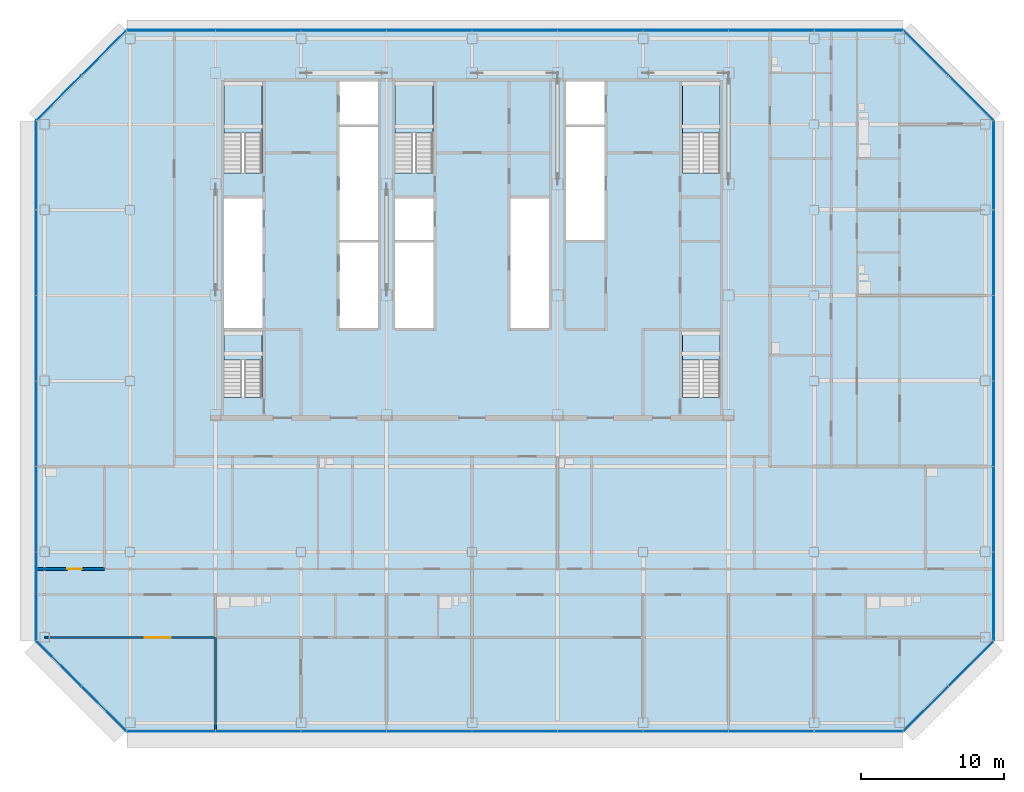
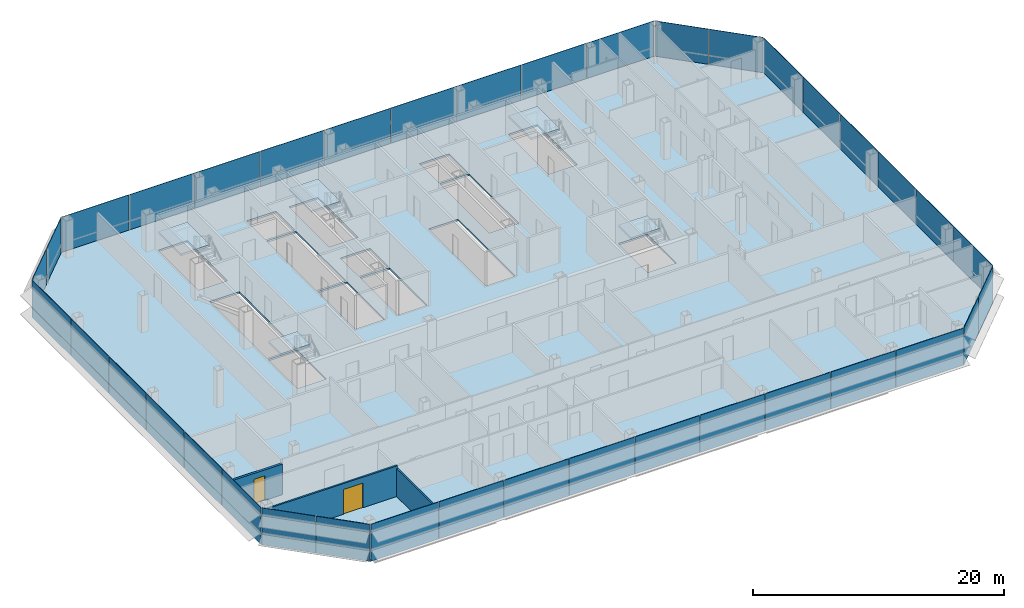
# One storey, part 18 of 26: 38 plates, 6 slabs, 3 walls, 2 doors, 2 openings, 13 elements without a shape of their own.
"""IFC4 building model written with IfcOpenShell, lengths in metres."""

from ifc_helpers import new_model, si_unit, direction, frame, frame_2d, origin, origin_2d, place, context, subcontext, project, spatial, polyline, rectangle, outline, extrude, material, layer, layer_set, type_object, element, fill, aggregate, save


model = new_model("IFC4")

# Units and contexts
model_context = context("Model", 3, precision=1e-05, world=origin(), true_north=direction((0.0, 1.0)))
body_context = subcontext(model_context, "Body", "Model", "MODEL_VIEW")
ifc_project = project(units=[si_unit("LENGTHUNIT", "METRE"), si_unit("AREAUNIT", "SQUARE_METRE"), si_unit("VOLUMEUNIT", "CUBIC_METRE"), si_unit("PLANEANGLEUNIT", "RADIAN"), si_unit("MASSUNIT", "GRAM", prefix="KILO")], contexts=[model_context])

# Site, building, storey
site_placement = place(None, origin())
site = spatial("IfcSite", under=ifc_project, at=site_placement, CompositionType="ELEMENT")
building_placement = place(site_placement, origin())
building = spatial("IfcBuilding", under=site, at=building_placement, Name="Sorahane Residences", CompositionType="ELEMENT")
storey_placement = place(building_placement, frame((0.0, 0.0, 147.39990234375)))
storey = spatial("IfcBuildingStorey", under=building, at=storey_placement, Name="L33", CompositionType="ELEMENT", Elevation=147.39990234375)

# Slab
ifc_material_1 = material(Name="Concrete C35", Category="concrete")
ifc_layer_1 = layer(ifc_material_1, 0.179931640625)
ifc_layer_set_1 = layer_set([ifc_layer_1], Name="Composite floor slab 180 mm Concrete C35")
slab_type_1 = type_object("IfcSlabType", Name="Composite floor slab 180 mm Concrete C35", PredefinedType="FLOOR", material=ifc_layer_set_1)
slab_1_placement = place(storey_placement, frame((0.0, 0.0, -0.179931640625)))
element("IfcSlab", 1, at=slab_1_placement, inside=storey, type_object=slab_type_1, Name="Slab L33", PredefinedType="FLOOR", context=body_context, shape_type="SweptSolid", body=[
    extrude(outline(polyline([(-0.24853515625, -0.60009765625), (-6.60009765625, 5.75146484375), (-6.60009765625, 42.24853515625), (-0.24853515625, 48.60009765625), (54.24853515625, 48.60009765625), (60.60009765625, 42.24853515625), (60.60009765625, 5.75146484375), (54.24853515625, -0.60009765625), (-0.24853515625, -0.60009765625)]), holes=[polyline([(18.60009765625, 27.699951171875), (21.300048828125, 27.699951171875), (21.300048828125, 33.699951171875), (18.60009765625, 33.699951171875), (18.60009765625, 27.699951171875)]), polyline([(30.60009765625, 42.0), (33.300048828125, 42.0), (33.300048828125, 45.0), (30.60009765625, 45.0), (30.60009765625, 42.0)]), polyline([(14.699951171875, 27.699951171875), (17.39990234375, 27.699951171875), (17.39990234375, 33.699951171875), (14.699951171875, 33.699951171875), (14.699951171875, 27.699951171875)]), polyline([(14.699951171875, 42.0), (17.39990234375, 42.0), (17.39990234375, 45.0), (14.699951171875, 45.0), (14.699951171875, 42.0)]), polyline([(6.60009765625, 27.699951171875), (9.300048828125, 27.699951171875), (9.300048828125, 36.800048828125), (6.60009765625, 36.800048828125), (6.60009765625, 27.699951171875)]), polyline([(9.25, 38.60009765625), (9.25, 45.0), (6.60009765625, 45.0), (6.60009765625, 38.60009765625), (9.25, 38.60009765625)]), polyline([(41.39990234375, 38.60009765625), (41.39990234375, 45.0), (38.75, 45.0), (38.75, 38.60009765625), (41.39990234375, 38.60009765625)]), polyline([(21.25, 38.60009765625), (21.25, 45.0), (18.60009765625, 45.0), (18.60009765625, 38.60009765625), (21.25, 38.60009765625)]), polyline([(9.25, 22.85009765625), (9.25, 27.5), (6.60009765625, 27.5), (6.60009765625, 22.85009765625), (9.25, 22.85009765625)]), polyline([(41.39990234375, 22.85009765625), (41.39990234375, 27.5), (38.75, 27.5), (38.75, 22.85009765625), (41.39990234375, 22.85009765625)]), polyline([(14.699951171875, 33.89990234375), (17.39990234375, 33.89990234375), (17.39990234375, 41.800048828125), (14.699951171875, 41.800048828125), (14.699951171875, 33.89990234375)]), polyline([(30.60009765625, 33.89990234375), (33.300048828125, 33.89990234375), (33.300048828125, 41.800048828125), (30.60009765625, 41.800048828125), (30.60009765625, 33.89990234375)]), polyline([(18.60009765625, 33.89990234375), (21.300048828125, 33.89990234375), (21.300048828125, 36.800048828125), (18.60009765625, 36.800048828125), (18.60009765625, 33.89990234375)]), polyline([(26.699951171875, 27.699951171875), (29.39990234375, 27.699951171875), (29.39990234375, 36.800048828125), (26.699951171875, 36.800048828125), (26.699951171875, 27.699951171875)])]), origin(), (0.0, 0.0, 1.0), 0.179931640625),
])

# Curtain wall, plates
ifc_material_2 = material(Name="Dark low-e glass and black anodised aluminium", Category="aluminium")
curtain_wall_type_1 = type_object("IfcCurtainWallType", Name="Curtain wall CW-1 Typical unitised wall", PredefinedType="NOTDEFINED", material=ifc_material_2)
curtain_wall_1_placement = place(storey_placement, origin())
curtain_wall_1 = element("IfcCurtainWall", 2, at=curtain_wall_1_placement, inside=storey, type_object=curtain_wall_type_1, Name="CW-1 curtain wall L33 S1", PredefinedType="NOTDEFINED")
ifc_material_3 = material(Name="Dark low-e glass with black ceramic frit", Category="glass")
ifc_layer_2 = layer(ifc_material_3, 0.0400390625)
ifc_layer_set_2 = layer_set([ifc_layer_2], Name="Curtain wall glass panel dark low-e with black frit spandrel band")
plate_type = type_object("IfcPlateType", Name="Curtain wall glass panel dark low-e with black frit spandrel band", PredefinedType="CURTAIN_PANEL", material=ifc_layer_set_2)
plate_1_placement = place(storey_placement, frame((2.88818359375, -0.60009765625, -0.179931640625), z_axis=(0.0, 0.0, 1.0), x_axis=(1.0, 0.0, 0.0)))
plate_1 = element("IfcPlate", 3, at=plate_1_placement, type_object=plate_type, Name="CW-1 glass panel L33 S1.1", PredefinedType="CURTAIN_PANEL", context=body_context, shape_type="SweptSolid", body=[
    extrude(rectangle(XDim=6.173583984375, YDim=0.0400390625, at=origin_2d()), origin(), (0.0, 0.0, 1.0), 3.60009765625),
])
plate_2_placement = place(storey_placement, frame((9.0, -0.60009765625, -0.179931640625), z_axis=(0.0, 0.0, 1.0), x_axis=(1.0, 0.0, 0.0)))
plate_2 = element("IfcPlate", 4, at=plate_2_placement, type_object=plate_type, Name="CW-1 glass panel L33 S1.2", PredefinedType="CURTAIN_PANEL", context=body_context, shape_type="SweptSolid", body=[
    extrude(rectangle(XDim=5.949951171875, YDim=0.0400390625, at=origin_2d()), origin(), (0.0, 0.0, 1.0), 3.60009765625),
])
plate_3_placement = place(storey_placement, frame((15.0, -0.60009765625, -0.179931640625), z_axis=(0.0, 0.0, 1.0), x_axis=(1.0, 0.0, 0.0)))
plate_3 = element("IfcPlate", 5, at=plate_3_placement, type_object=plate_type, Name="CW-1 glass panel L33 S1.3", PredefinedType="CURTAIN_PANEL", context=body_context, shape_type="SweptSolid", body=[
    extrude(rectangle(XDim=5.949951171875, YDim=0.0400390625, at=origin_2d()), origin(), (0.0, 0.0, 1.0), 3.60009765625),
])
plate_4_placement = place(storey_placement, frame((21.0, -0.60009765625, -0.179931640625), z_axis=(0.0, 0.0, 1.0), x_axis=(1.0, 0.0, 0.0)))
plate_4 = element("IfcPlate", 6, at=plate_4_placement, type_object=plate_type, Name="CW-1 glass panel L33 S1.4", PredefinedType="CURTAIN_PANEL", context=body_context, shape_type="SweptSolid", body=[
    extrude(rectangle(XDim=5.949951171875, YDim=0.0400390625, at=origin_2d()), origin(), (0.0, 0.0, 1.0), 3.60009765625),
])
plate_5_placement = place(storey_placement, frame((27.0, -0.60009765625, -0.179931640625), z_axis=(0.0, 0.0, 1.0), x_axis=(1.0, 0.0, 0.0)))
plate_5 = element("IfcPlate", 7, at=plate_5_placement, type_object=plate_type, Name="CW-1 glass panel L33 S1.5", PredefinedType="CURTAIN_PANEL", context=body_context, shape_type="SweptSolid", body=[
    extrude(rectangle(XDim=5.949951171875, YDim=0.0400390625, at=origin_2d()), origin(), (0.0, 0.0, 1.0), 3.60009765625),
])
plate_6_placement = place(storey_placement, frame((33.0, -0.60009765625, -0.179931640625), z_axis=(0.0, 0.0, 1.0), x_axis=(1.0, 0.0, 0.0)))
plate_6 = element("IfcPlate", 8, at=plate_6_placement, type_object=plate_type, Name="CW-1 glass panel L33 S1.6", PredefinedType="CURTAIN_PANEL", context=body_context, shape_type="SweptSolid", body=[
    extrude(rectangle(XDim=5.949951171875, YDim=0.0400390625, at=origin_2d()), origin(), (0.0, 0.0, 1.0), 3.60009765625),
])
plate_7_placement = place(storey_placement, frame((39.0, -0.60009765625, -0.179931640625), z_axis=(0.0, 0.0, 1.0), x_axis=(1.0, 0.0, 0.0)))
plate_7 = element("IfcPlate", 9, at=plate_7_placement, type_object=plate_type, Name="CW-1 glass panel L33 S1.7", PredefinedType="CURTAIN_PANEL", context=body_context, shape_type="SweptSolid", body=[
    extrude(rectangle(XDim=5.949951171875, YDim=0.0400390625, at=origin_2d()), origin(), (0.0, 0.0, 1.0), 3.60009765625),
])
plate_8_placement = place(storey_placement, frame((45.0, -0.60009765625, -0.179931640625), z_axis=(0.0, 0.0, 1.0), x_axis=(1.0, 0.0, 0.0)))
plate_8 = element("IfcPlate", 10, at=plate_8_placement, type_object=plate_type, Name="CW-1 glass panel L33 S1.8", PredefinedType="CURTAIN_PANEL", context=body_context, shape_type="SweptSolid", body=[
    extrude(rectangle(XDim=5.949951171875, YDim=0.0400390625, at=origin_2d()), origin(), (0.0, 0.0, 1.0), 3.60009765625),
])
plate_9_placement = place(storey_placement, frame((51.11181640625, -0.60009765625, -0.179931640625), z_axis=(0.0, 0.0, 1.0), x_axis=(1.0, 0.0, 0.0)))
plate_9 = element("IfcPlate", 11, at=plate_9_placement, type_object=plate_type, Name="CW-1 glass panel L33 S1.9", PredefinedType="CURTAIN_PANEL", context=body_context, shape_type="SweptSolid", body=[
    extrude(rectangle(XDim=6.173583984375, YDim=0.0400390625, at=origin_2d()), origin(), (0.0, 0.0, 1.0), 3.60009765625),
])
aggregate(curtain_wall_1, [plate_1, plate_2, plate_3, plate_4, plate_5, plate_6, plate_7, plate_8, plate_9])

ifc_material_4 = material(Name="Dark low-e glass and black anodised aluminium", Category="aluminium")
curtain_wall_type_2 = type_object("IfcCurtainWallType", Name="Curtain wall CW-2 Chamfer unitised wall", PredefinedType="NOTDEFINED", material=ifc_material_4)
curtain_wall_2_placement = place(storey_placement, origin())
curtain_wall_2 = element("IfcCurtainWall", 12, at=curtain_wall_2_placement, inside=storey, type_object=curtain_wall_type_2, Name="CW-2 curtain wall L33 SE1", PredefinedType="NOTDEFINED")
plate_10_placement = place(storey_placement, frame((55.84521484375, 0.996826171875, -0.179931640625), z_axis=(0.0, 0.0, 1.0), x_axis=(0.707106781187, 0.707106781187, 0.0)))
plate_10 = element("IfcPlate", 13, at=plate_10_placement, type_object=plate_type, Name="CW-2 glass panel L33 SE1.1", PredefinedType="CURTAIN_PANEL", context=body_context, shape_type="SweptSolid", body=[
    extrude(rectangle(XDim=4.416259765625, YDim=0.0400390625, at=origin_2d()), origin(), (0.0, 0.0, 1.0), 3.60009765625),
])
plate_11_placement = place(storey_placement, frame((59.003173828125, 4.15478515625, -0.179931640625), z_axis=(0.0, 0.0, 1.0), x_axis=(0.707106781187, 0.707106781187, 0.0)))
plate_11 = element("IfcPlate", 14, at=plate_11_placement, type_object=plate_type, Name="CW-2 glass panel L33 SE1.2", PredefinedType="CURTAIN_PANEL", context=body_context, shape_type="SweptSolid", body=[
    extrude(rectangle(XDim=4.416259765625, YDim=0.0400390625, at=origin_2d()), origin(), (0.0, 0.0, 1.0), 3.60009765625),
])
aggregate(curtain_wall_2, [plate_10, plate_11])

curtain_wall_3_placement = place(storey_placement, origin())
curtain_wall_3 = element("IfcCurtainWall", 15, at=curtain_wall_3_placement, inside=storey, type_object=curtain_wall_type_1, Name="CW-1 curtain wall L33 E1", PredefinedType="NOTDEFINED")
plate_12_placement = place(storey_placement, frame((60.60009765625, 8.88818359375, -0.179931640625), z_axis=(0.0, 0.0, 1.0), x_axis=(0.0, 1.0, 0.0)))
plate_12 = element("IfcPlate", 16, at=plate_12_placement, type_object=plate_type, Name="CW-1 glass panel L33 E1.1", PredefinedType="CURTAIN_PANEL", context=body_context, shape_type="SweptSolid", body=[
    extrude(rectangle(XDim=6.173583984375, YDim=0.0400390625, at=origin_2d()), origin(), (0.0, 0.0, 1.0), 3.60009765625),
])
plate_13_placement = place(storey_placement, frame((60.60009765625, 15.0, -0.179931640625), z_axis=(0.0, 0.0, 1.0), x_axis=(0.0, 1.0, 0.0)))
plate_13 = element("IfcPlate", 17, at=plate_13_placement, type_object=plate_type, Name="CW-1 glass panel L33 E1.2", PredefinedType="CURTAIN_PANEL", context=body_context, shape_type="SweptSolid", body=[
    extrude(rectangle(XDim=5.949951171875, YDim=0.0400390625, at=origin_2d()), origin(), (0.0, 0.0, 1.0), 3.60009765625),
])
plate_14_placement = place(storey_placement, frame((60.60009765625, 21.0, -0.179931640625), z_axis=(0.0, 0.0, 1.0), x_axis=(0.0, 1.0, 0.0)))
plate_14 = element("IfcPlate", 18, at=plate_14_placement, type_object=plate_type, Name="CW-1 glass panel L33 E1.3", PredefinedType="CURTAIN_PANEL", context=body_context, shape_type="SweptSolid", body=[
    extrude(rectangle(XDim=5.949951171875, YDim=0.0400390625, at=origin_2d()), origin(), (0.0, 0.0, 1.0), 3.60009765625),
])
plate_15_placement = place(storey_placement, frame((60.60009765625, 27.0, -0.179931640625), z_axis=(0.0, 0.0, 1.0), x_axis=(0.0, 1.0, 0.0)))
plate_15 = element("IfcPlate", 19, at=plate_15_placement, type_object=plate_type, Name="CW-1 glass panel L33 E1.4", PredefinedType="CURTAIN_PANEL", context=body_context, shape_type="SweptSolid", body=[
    extrude(rectangle(XDim=5.949951171875, YDim=0.0400390625, at=origin_2d()), origin(), (0.0, 0.0, 1.0), 3.60009765625),
])
plate_16_placement = place(storey_placement, frame((60.60009765625, 33.0, -0.179931640625), z_axis=(0.0, 0.0, 1.0), x_axis=(0.0, 1.0, 0.0)))
plate_16 = element("IfcPlate", 20, at=plate_16_placement, type_object=plate_type, Name="CW-1 glass panel L33 E1.5", PredefinedType="CURTAIN_PANEL", context=body_context, shape_type="SweptSolid", body=[
    extrude(rectangle(XDim=5.949951171875, YDim=0.0400390625, at=origin_2d()), origin(), (0.0, 0.0, 1.0), 3.60009765625),
])
plate_17_placement = place(storey_placement, frame((60.60009765625, 39.11181640625, -0.179931640625), z_axis=(0.0, 0.0, 1.0), x_axis=(0.0, 1.0, 0.0)))
plate_17 = element("IfcPlate", 21, at=plate_17_placement, type_object=plate_type, Name="CW-1 glass panel L33 E1.6", PredefinedType="CURTAIN_PANEL", context=body_context, shape_type="SweptSolid", body=[
    extrude(rectangle(XDim=6.173583984375, YDim=0.0400390625, at=origin_2d()), origin(), (0.0, 0.0, 1.0), 3.60009765625),
])
aggregate(curtain_wall_3, [plate_12, plate_13, plate_14, plate_15, plate_16, plate_17])

curtain_wall_4_placement = place(storey_placement, origin())
curtain_wall_4 = element("IfcCurtainWall", 22, at=curtain_wall_4_placement, inside=storey, type_object=curtain_wall_type_2, Name="CW-2 curtain wall L33 NE1", PredefinedType="NOTDEFINED")
plate_18_placement = place(storey_placement, frame((59.003173828125, 43.84521484375, -0.179931640625), z_axis=(0.0, 0.0, 1.0), x_axis=(-0.707106781187, 0.707106781187, 0.0)))
plate_18 = element("IfcPlate", 23, at=plate_18_placement, type_object=plate_type, Name="CW-2 glass panel L33 NE1.1", PredefinedType="CURTAIN_PANEL", context=body_context, shape_type="SweptSolid", body=[
    extrude(rectangle(XDim=4.416259765625, YDim=0.0400390625, at=origin_2d()), origin(), (0.0, 0.0, 1.0), 3.60009765625),
])
plate_19_placement = place(storey_placement, frame((55.84521484375, 47.003173828125, -0.179931640625), z_axis=(0.0, 0.0, 1.0), x_axis=(-0.707106781187, 0.707106781187, 0.0)))
plate_19 = element("IfcPlate", 24, at=plate_19_placement, type_object=plate_type, Name="CW-2 glass panel L33 NE1.2", PredefinedType="CURTAIN_PANEL", context=body_context, shape_type="SweptSolid", body=[
    extrude(rectangle(XDim=4.416259765625, YDim=0.0400390625, at=origin_2d()), origin(), (0.0, 0.0, 1.0), 3.60009765625),
])
aggregate(curtain_wall_4, [plate_18, plate_19])

curtain_wall_5_placement = place(storey_placement, origin())
curtain_wall_5 = element("IfcCurtainWall", 25, at=curtain_wall_5_placement, inside=storey, type_object=curtain_wall_type_1, Name="CW-1 curtain wall L33 N1", PredefinedType="NOTDEFINED")
plate_20_placement = place(storey_placement, frame((51.11181640625, 48.60009765625, -0.179931640625), z_axis=(0.0, 0.0, 1.0), x_axis=(-1.0, 0.0, 0.0)))
plate_20 = element("IfcPlate", 26, at=plate_20_placement, type_object=plate_type, Name="CW-1 glass panel L33 N1.1", PredefinedType="CURTAIN_PANEL", context=body_context, shape_type="SweptSolid", body=[
    extrude(rectangle(XDim=6.173583984375, YDim=0.0400390625, at=origin_2d()), origin(), (0.0, 0.0, 1.0), 3.60009765625),
])
plate_21_placement = place(storey_placement, frame((45.0, 48.60009765625, -0.179931640625), z_axis=(0.0, 0.0, 1.0), x_axis=(-1.0, 0.0, 0.0)))
plate_21 = element("IfcPlate", 27, at=plate_21_placement, type_object=plate_type, Name="CW-1 glass panel L33 N1.2", PredefinedType="CURTAIN_PANEL", context=body_context, shape_type="SweptSolid", body=[
    extrude(rectangle(XDim=5.949951171875, YDim=0.0400390625, at=origin_2d()), origin(), (0.0, 0.0, 1.0), 3.60009765625),
])
plate_22_placement = place(storey_placement, frame((39.0, 48.60009765625, -0.179931640625), z_axis=(0.0, 0.0, 1.0), x_axis=(-1.0, 0.0, 0.0)))
plate_22 = element("IfcPlate", 28, at=plate_22_placement, type_object=plate_type, Name="CW-1 glass panel L33 N1.3", PredefinedType="CURTAIN_PANEL", context=body_context, shape_type="SweptSolid", body=[
    extrude(rectangle(XDim=5.949951171875, YDim=0.0400390625, at=origin_2d()), origin(), (0.0, 0.0, 1.0), 3.60009765625),
])
plate_23_placement = place(storey_placement, frame((33.0, 48.60009765625, -0.179931640625), z_axis=(0.0, 0.0, 1.0), x_axis=(-1.0, 0.0, 0.0)))
plate_23 = element("IfcPlate", 29, at=plate_23_placement, type_object=plate_type, Name="CW-1 glass panel L33 N1.4", PredefinedType="CURTAIN_PANEL", context=body_context, shape_type="SweptSolid", body=[
    extrude(rectangle(XDim=5.949951171875, YDim=0.0400390625, at=origin_2d()), origin(), (0.0, 0.0, 1.0), 3.60009765625),
])
plate_24_placement = place(storey_placement, frame((27.0, 48.60009765625, -0.179931640625), z_axis=(0.0, 0.0, 1.0), x_axis=(-1.0, 0.0, 0.0)))
plate_24 = element("IfcPlate", 30, at=plate_24_placement, type_object=plate_type, Name="CW-1 glass panel L33 N1.5", PredefinedType="CURTAIN_PANEL", context=body_context, shape_type="SweptSolid", body=[
    extrude(rectangle(XDim=5.949951171875, YDim=0.0400390625, at=origin_2d()), origin(), (0.0, 0.0, 1.0), 3.60009765625),
])
plate_25_placement = place(storey_placement, frame((21.0, 48.60009765625, -0.179931640625), z_axis=(0.0, 0.0, 1.0), x_axis=(-1.0, 0.0, 0.0)))
plate_25 = element("IfcPlate", 31, at=plate_25_placement, type_object=plate_type, Name="CW-1 glass panel L33 N1.6", PredefinedType="CURTAIN_PANEL", context=body_context, shape_type="SweptSolid", body=[
    extrude(rectangle(XDim=5.949951171875, YDim=0.0400390625, at=origin_2d()), origin(), (0.0, 0.0, 1.0), 3.60009765625),
])
plate_26_placement = place(storey_placement, frame((15.0, 48.60009765625, -0.179931640625), z_axis=(0.0, 0.0, 1.0), x_axis=(-1.0, 0.0, 0.0)))
plate_26 = element("IfcPlate", 32, at=plate_26_placement, type_object=plate_type, Name="CW-1 glass panel L33 N1.7", PredefinedType="CURTAIN_PANEL", context=body_context, shape_type="SweptSolid", body=[
    extrude(rectangle(XDim=5.949951171875, YDim=0.0400390625, at=origin_2d()), origin(), (0.0, 0.0, 1.0), 3.60009765625),
])
plate_27_placement = place(storey_placement, frame((9.0, 48.60009765625, -0.179931640625), z_axis=(0.0, 0.0, 1.0), x_axis=(-1.0, 0.0, 0.0)))
plate_27 = element("IfcPlate", 33, at=plate_27_placement, type_object=plate_type, Name="CW-1 glass panel L33 N1.8", PredefinedType="CURTAIN_PANEL", context=body_context, shape_type="SweptSolid", body=[
    extrude(rectangle(XDim=5.949951171875, YDim=0.0400390625, at=origin_2d()), origin(), (0.0, 0.0, 1.0), 3.60009765625),
])
plate_28_placement = place(storey_placement, frame((2.88818359375, 48.60009765625, -0.179931640625), z_axis=(0.0, 0.0, 1.0), x_axis=(-1.0, 0.0, 0.0)))
plate_28 = element("IfcPlate", 34, at=plate_28_placement, type_object=plate_type, Name="CW-1 glass panel L33 N1.9", PredefinedType="CURTAIN_PANEL", context=body_context, shape_type="SweptSolid", body=[
    extrude(rectangle(XDim=6.173583984375, YDim=0.0400390625, at=origin_2d()), origin(), (0.0, 0.0, 1.0), 3.60009765625),
])
aggregate(curtain_wall_5, [plate_20, plate_21, plate_22, plate_23, plate_24, plate_25, plate_26, plate_27, plate_28])

curtain_wall_6_placement = place(storey_placement, origin())
curtain_wall_6 = element("IfcCurtainWall", 35, at=curtain_wall_6_placement, inside=storey, type_object=curtain_wall_type_2, Name="CW-2 curtain wall L33 NW1", PredefinedType="NOTDEFINED")
plate_29_placement = place(storey_placement, frame((-1.84521484375, 47.003173828125, -0.179931640625), z_axis=(0.0, 0.0, 1.0), x_axis=(-0.707106781187, -0.707106781187, 0.0)))
plate_29 = element("IfcPlate", 36, at=plate_29_placement, type_object=plate_type, Name="CW-2 glass panel L33 NW1.1", PredefinedType="CURTAIN_PANEL", context=body_context, shape_type="SweptSolid", body=[
    extrude(rectangle(XDim=4.416259765625, YDim=0.0400390625, at=origin_2d()), origin(), (0.0, 0.0, 1.0), 3.60009765625),
])
plate_30_placement = place(storey_placement, frame((-5.003173828125, 43.84521484375, -0.179931640625), z_axis=(0.0, 0.0, 1.0), x_axis=(-0.707106781187, -0.707106781187, 0.0)))
plate_30 = element("IfcPlate", 37, at=plate_30_placement, type_object=plate_type, Name="CW-2 glass panel L33 NW1.2", PredefinedType="CURTAIN_PANEL", context=body_context, shape_type="SweptSolid", body=[
    extrude(rectangle(XDim=4.416259765625, YDim=0.0400390625, at=origin_2d()), origin(), (0.0, 0.0, 1.0), 3.60009765625),
])
aggregate(curtain_wall_6, [plate_29, plate_30])

curtain_wall_7_placement = place(storey_placement, origin())
curtain_wall_7 = element("IfcCurtainWall", 38, at=curtain_wall_7_placement, inside=storey, type_object=curtain_wall_type_1, Name="CW-1 curtain wall L33 W1", PredefinedType="NOTDEFINED")
plate_31_placement = place(storey_placement, frame((-6.60009765625, 39.11181640625, -0.179931640625), z_axis=(0.0, 0.0, 1.0), x_axis=(0.0, -1.0, 0.0)))
plate_31 = element("IfcPlate", 39, at=plate_31_placement, type_object=plate_type, Name="CW-1 glass panel L33 W1.1", PredefinedType="CURTAIN_PANEL", context=body_context, shape_type="SweptSolid", body=[
    extrude(rectangle(XDim=6.173583984375, YDim=0.0400390625, at=origin_2d()), origin(), (0.0, 0.0, 1.0), 3.60009765625),
])
plate_32_placement = place(storey_placement, frame((-6.60009765625, 33.0, -0.179931640625), z_axis=(0.0, 0.0, 1.0), x_axis=(0.0, -1.0, 0.0)))
plate_32 = element("IfcPlate", 40, at=plate_32_placement, type_object=plate_type, Name="CW-1 glass panel L33 W1.2", PredefinedType="CURTAIN_PANEL", context=body_context, shape_type="SweptSolid", body=[
    extrude(rectangle(XDim=5.949951171875, YDim=0.0400390625, at=origin_2d()), origin(), (0.0, 0.0, 1.0), 3.60009765625),
])
plate_33_placement = place(storey_placement, frame((-6.60009765625, 27.0, -0.179931640625), z_axis=(0.0, 0.0, 1.0), x_axis=(0.0, -1.0, 0.0)))
plate_33 = element("IfcPlate", 41, at=plate_33_placement, type_object=plate_type, Name="CW-1 glass panel L33 W1.3", PredefinedType="CURTAIN_PANEL", context=body_context, shape_type="SweptSolid", body=[
    extrude(rectangle(XDim=5.949951171875, YDim=0.0400390625, at=origin_2d()), origin(), (0.0, 0.0, 1.0), 3.60009765625),
])
plate_34_placement = place(storey_placement, frame((-6.60009765625, 21.0, -0.179931640625), z_axis=(0.0, 0.0, 1.0), x_axis=(0.0, -1.0, 0.0)))
plate_34 = element("IfcPlate", 42, at=plate_34_placement, type_object=plate_type, Name="CW-1 glass panel L33 W1.4", PredefinedType="CURTAIN_PANEL", context=body_context, shape_type="SweptSolid", body=[
    extrude(rectangle(XDim=5.949951171875, YDim=0.0400390625, at=origin_2d()), origin(), (0.0, 0.0, 1.0), 3.60009765625),
])
plate_35_placement = place(storey_placement, frame((-6.60009765625, 15.0, -0.179931640625), z_axis=(0.0, 0.0, 1.0), x_axis=(0.0, -1.0, 0.0)))
plate_35 = element("IfcPlate", 43, at=plate_35_placement, type_object=plate_type, Name="CW-1 glass panel L33 W1.5", PredefinedType="CURTAIN_PANEL", context=body_context, shape_type="SweptSolid", body=[
    extrude(rectangle(XDim=5.949951171875, YDim=0.0400390625, at=origin_2d()), origin(), (0.0, 0.0, 1.0), 3.60009765625),
])
plate_36_placement = place(storey_placement, frame((-6.60009765625, 8.88818359375, -0.179931640625), z_axis=(0.0, 0.0, 1.0), x_axis=(0.0, -1.0, 0.0)))
plate_36 = element("IfcPlate", 44, at=plate_36_placement, type_object=plate_type, Name="CW-1 glass panel L33 W1.6", PredefinedType="CURTAIN_PANEL", context=body_context, shape_type="SweptSolid", body=[
    extrude(rectangle(XDim=6.173583984375, YDim=0.0400390625, at=origin_2d()), origin(), (0.0, 0.0, 1.0), 3.60009765625),
])
aggregate(curtain_wall_7, [plate_31, plate_32, plate_33, plate_34, plate_35, plate_36])

curtain_wall_8_placement = place(storey_placement, origin())
curtain_wall_8 = element("IfcCurtainWall", 45, at=curtain_wall_8_placement, inside=storey, type_object=curtain_wall_type_2, Name="CW-2 curtain wall L33 SW1", PredefinedType="NOTDEFINED")
plate_37_placement = place(storey_placement, frame((-5.003173828125, 4.15478515625, -0.179931640625), z_axis=(0.0, 0.0, 1.0), x_axis=(0.707106781187, -0.707106781187, 0.0)))
plate_37 = element("IfcPlate", 46, at=plate_37_placement, type_object=plate_type, Name="CW-2 glass panel L33 SW1.1", PredefinedType="CURTAIN_PANEL", context=body_context, shape_type="SweptSolid", body=[
    extrude(rectangle(XDim=4.416259765625, YDim=0.0400390625, at=origin_2d()), origin(), (0.0, 0.0, 1.0), 3.60009765625),
])
plate_38_placement = place(storey_placement, frame((-1.84521484375, 0.996826171875, -0.179931640625), z_axis=(0.0, 0.0, 1.0), x_axis=(0.707106781187, -0.707106781187, 0.0)))
plate_38 = element("IfcPlate", 47, at=plate_38_placement, type_object=plate_type, Name="CW-2 glass panel L33 SW1.2", PredefinedType="CURTAIN_PANEL", context=body_context, shape_type="SweptSolid", body=[
    extrude(rectangle(XDim=4.416259765625, YDim=0.0400390625, at=origin_2d()), origin(), (0.0, 0.0, 1.0), 3.60009765625),
])
aggregate(curtain_wall_8, [plate_37, plate_38])

# Stair, slab
ifc_material_5 = material(Name="Concrete C40", Category="concrete")
stair_type = type_object("IfcStairType", Name="Dog-leg stair 1250 Concrete C40", PredefinedType="HALF_TURN_STAIR", material=ifc_material_5)
stair_1_placement = place(storey_placement, origin())
stair_1 = element("IfcStair", 48, at=stair_1_placement, inside=storey, type_object=stair_type, Name="L33 Stair S1", PredefinedType="HALF_TURN_STAIR")
ifc_material_6 = material(Name="Concrete C40", Category="concrete")
ifc_layer_3 = layer(ifc_material_6, 0.199951171875)
ifc_layer_set_3 = layer_set([ifc_layer_3], Name="Stair landing 200 Concrete C40")
slab_type_2 = type_object("IfcSlabType", Name="Stair landing 200 Concrete C40", PredefinedType="LANDING", material=ifc_layer_set_3)
slab_2_placement = place(storey_placement, frame((0.0, 0.0, 1.60009765625)))
slab_2 = element("IfcSlab", 49, at=slab_2_placement, type_object=slab_type_2, Name="S1 landing 1", PredefinedType="LANDING", context=body_context, shape_type="SweptSolid", body=[
    extrude(outline(polyline([(9.25, 41.39990234375), (9.25, 45.0), (6.60009765625, 45.0), (6.60009765625, 41.39990234375), (9.25, 41.39990234375)])), origin(), (0.0, 0.0, 1.0), 0.199951171875),
])
aggregate(stair_1, [slab_2])

stair_2_placement = place(storey_placement, origin())
stair_2 = element("IfcStair", 50, at=stair_2_placement, inside=storey, type_object=stair_type, Name="L33 Stair S2", PredefinedType="HALF_TURN_STAIR")
slab_3_placement = place(storey_placement, frame((0.0, 0.0, 1.60009765625)))
slab_3 = element("IfcSlab", 51, at=slab_3_placement, type_object=slab_type_2, Name="S2 landing 1", PredefinedType="LANDING", context=body_context, shape_type="SweptSolid", body=[
    extrude(outline(polyline([(41.39990234375, 41.39990234375), (41.39990234375, 45.0), (38.75, 45.0), (38.75, 41.39990234375), (41.39990234375, 41.39990234375)])), origin(), (0.0, 0.0, 1.0), 0.199951171875),
])
aggregate(stair_2, [slab_3])

stair_3_placement = place(storey_placement, origin())
stair_3 = element("IfcStair", 52, at=stair_3_placement, inside=storey, type_object=stair_type, Name="L33 Stair S3", PredefinedType="HALF_TURN_STAIR")
slab_4_placement = place(storey_placement, frame((0.0, 0.0, 1.60009765625)))
slab_4 = element("IfcSlab", 53, at=slab_4_placement, type_object=slab_type_2, Name="S3 landing 1", PredefinedType="LANDING", context=body_context, shape_type="SweptSolid", body=[
    extrude(outline(polyline([(21.25, 41.39990234375), (21.25, 45.0), (18.60009765625, 45.0), (18.60009765625, 41.39990234375), (21.25, 41.39990234375)])), origin(), (0.0, 0.0, 1.0), 0.199951171875),
])
aggregate(stair_3, [slab_4])

stair_4_placement = place(storey_placement, origin())
stair_4 = element("IfcStair", 54, at=stair_4_placement, inside=storey, type_object=stair_type, Name="L33 Stair S4", PredefinedType="HALF_TURN_STAIR")
slab_5_placement = place(storey_placement, frame((0.0, 0.0, 1.60009765625)))
slab_5 = element("IfcSlab", 55, at=slab_5_placement, type_object=slab_type_2, Name="S4 landing 1", PredefinedType="LANDING", context=body_context, shape_type="SweptSolid", body=[
    extrude(outline(polyline([(9.25, 25.449951171875), (9.25, 27.5), (6.60009765625, 27.5), (6.60009765625, 25.449951171875), (9.25, 25.449951171875)])), origin(), (0.0, 0.0, 1.0), 0.199951171875),
])
aggregate(stair_4, [slab_5])

stair_5_placement = place(storey_placement, origin())
stair_5 = element("IfcStair", 56, at=stair_5_placement, inside=storey, type_object=stair_type, Name="L33 Stair S5", PredefinedType="HALF_TURN_STAIR")
slab_6_placement = place(storey_placement, frame((0.0, 0.0, 1.60009765625)))
slab_6 = element("IfcSlab", 57, at=slab_6_placement, type_object=slab_type_2, Name="S5 landing 1", PredefinedType="LANDING", context=body_context, shape_type="SweptSolid", body=[
    extrude(outline(polyline([(41.39990234375, 25.449951171875), (41.39990234375, 27.5), (38.75, 27.5), (38.75, 25.449951171875), (41.39990234375, 25.449951171875)])), origin(), (0.0, 0.0, 1.0), 0.199951171875),
])
aggregate(stair_5, [slab_6])

# Wall, opening, door
ifc_material_7 = material(Name="Concrete blockwork C20 wall", Category="masonry")
ifc_layer_4 = layer(ifc_material_7, 0.199951171875)
ifc_layer_set_4 = layer_set([ifc_layer_4], Name="Kitchen wall 200 EI 180")
wall_type_1 = type_object("IfcWallType", Name="Kitchen wall 200 EI 180", PredefinedType="SOLIDWALL", material=ifc_layer_set_4)
wall_1_placement = place(storey_placement, frame((-6.60009765625, 10.800048828125, 0.0), z_axis=(0.0, 0.0, 1.0), x_axis=(1.0, 0.0, 0.0)))
wall_1 = element("IfcWall", 58, at=wall_1_placement, inside=storey, type_object=wall_type_1, Name="L33 kitchen wall", PredefinedType="SOLIDWALL", context=body_context, shape_type="SweptSolid", body=[
    extrude(rectangle(XDim=4.800048828125, YDim=0.199951171875, at=frame_2d((2.39990234375, 0.0))), origin(), (0.0, 0.0, 1.0), 2.97021484375),
])
opening_1_placement = place(wall_1_placement, frame((2.199951171875, 0.0, 0.0)))
opening_1 = element("IfcOpeningElement", 59, at=opening_1_placement, cuts=wall_1, Name="Opening L33-02", PredefinedType="OPENING", context=body_context, shape_type="SweptSolid", body=[
    extrude(rectangle(XDim=1.0, YDim=2.39990234375, at=frame_2d((0.5, 1.199951171875))), frame((0.0, 0.10986328125, 0.0), z_axis=(0.0, -1.0, 0.0), x_axis=(1.0, 0.0, 0.0)), (0.0, 0.0, 1.0), 0.219970703125),
])
ifc_material_8 = material(Name="Steel", Category="steel")
door_type_1 = type_object("IfcDoorType", Name="Kitchen door 1000x2400 FD120", OperationType="NOTDEFINED", PredefinedType="DOOR", material=ifc_material_8)
door_1_placement = place(opening_1_placement, origin())
door_1 = element("IfcDoor", 60, at=door_1_placement, inside=storey, type_object=door_type_1, Name="Kitchen door L33-02", OperationType="SINGLE_SWING_RIGHT", OverallHeight=2.39990234375, OverallWidth=1.0, PredefinedType="DOOR", context=body_context, shape_type="SweptSolid", body=[
    extrude(rectangle(XDim=1.0, YDim=2.39990234375, at=frame_2d((0.5, 1.199951171875))), frame((0.0, 0.02490234375, 0.0), z_axis=(0.0, -1.0, 0.0), x_axis=(1.0, 0.0, 0.0)), (0.0, 0.0, 1.0), 0.050048828125),
])
fill(opening_1, door_1)

# Wall
ifc_material_9 = material(Name="Gypsum board partition on steel studs", Category="steel")
ifc_layer_5 = layer(ifc_material_9, 0.14990234375)
ifc_layer_set_5 = layer_set([ifc_layer_5], Name="Partition 150 EI 90")
wall_type_2 = type_object("IfcWallType", Name="Partition 150 EI 90", PredefinedType="PARTITIONING", material=ifc_layer_set_5)
wall_2_placement = place(storey_placement, frame((6.0, -0.60009765625, 0.0), z_axis=(0.0, 0.0, 1.0), x_axis=(0.0, 1.0, 0.0)))
element("IfcWall", 61, at=wall_2_placement, inside=storey, type_object=wall_type_2, Name="L33 partition", PredefinedType="PARTITIONING", context=body_context, shape_type="SweptSolid", body=[
    extrude(rectangle(XDim=6.60009765625, YDim=0.14990234375, at=frame_2d((3.300048828125, 0.0))), origin(), (0.0, 0.0, 1.0), 2.72021484375),
])

# Wall, opening, door
wall_3_placement = place(storey_placement, frame((-6.0, 6.0, 0.0), z_axis=(0.0, 0.0, 1.0), x_axis=(1.0, 0.0, 0.0)))
wall_3 = element("IfcWall", 62, at=wall_3_placement, inside=storey, type_object=wall_type_2, Name="L33 partition", PredefinedType="PARTITIONING", context=body_context, shape_type="SweptSolid", body=[
    extrude(rectangle(XDim=12.0, YDim=0.14990234375, at=frame_2d((6.0, 0.0))), origin(), (0.0, 0.0, 1.0), 2.97021484375),
])
opening_2_placement = place(wall_3_placement, frame((7.0400390625, 0.0, 0.0)))
opening_2 = element("IfcOpeningElement", 63, at=opening_2_placement, cuts=wall_3, Name="Opening L33-09", PredefinedType="OPENING", context=body_context, shape_type="SweptSolid", body=[
    extrude(rectangle(XDim=1.800048828125, YDim=2.39990234375, at=frame_2d((0.89990234375, 1.199951171875))), frame((0.0, 0.0849609375, 0.0), z_axis=(0.0, -1.0, 0.0), x_axis=(1.0, 0.0, 0.0)), (0.0, 0.0, 1.0), 0.169921875),
])
ifc_material_10 = material(Name="Timber veneered fire door", Category="wood")
door_type_2 = type_object("IfcDoorType", Name="Double door 1800x2400 FD30", OperationType="NOTDEFINED", PredefinedType="DOOR", material=ifc_material_10)
door_2_placement = place(opening_2_placement, frame((1.800048828125, 0.0, 0.0), z_axis=(0.0, 0.0, 1.0), x_axis=(-1.0, 0.0, 0.0)))
door_2 = element("IfcDoor", 64, at=door_2_placement, inside=storey, type_object=door_type_2, Name="Double door L33-09", OperationType="SINGLE_SWING_LEFT", OverallHeight=2.39990234375, OverallWidth=1.800048828125, PredefinedType="DOOR", context=body_context, shape_type="SweptSolid", body=[
    extrude(rectangle(XDim=1.800048828125, YDim=2.39990234375, at=frame_2d((0.89990234375, 1.199951171875))), frame((0.0, 0.02490234375, 0.0), z_axis=(0.0, -1.0, 0.0), x_axis=(1.0, 0.0, 0.0)), (0.0, 0.0, 1.0), 0.050048828125),
])
fill(opening_2, door_2)

save(model, "model.ifc")
